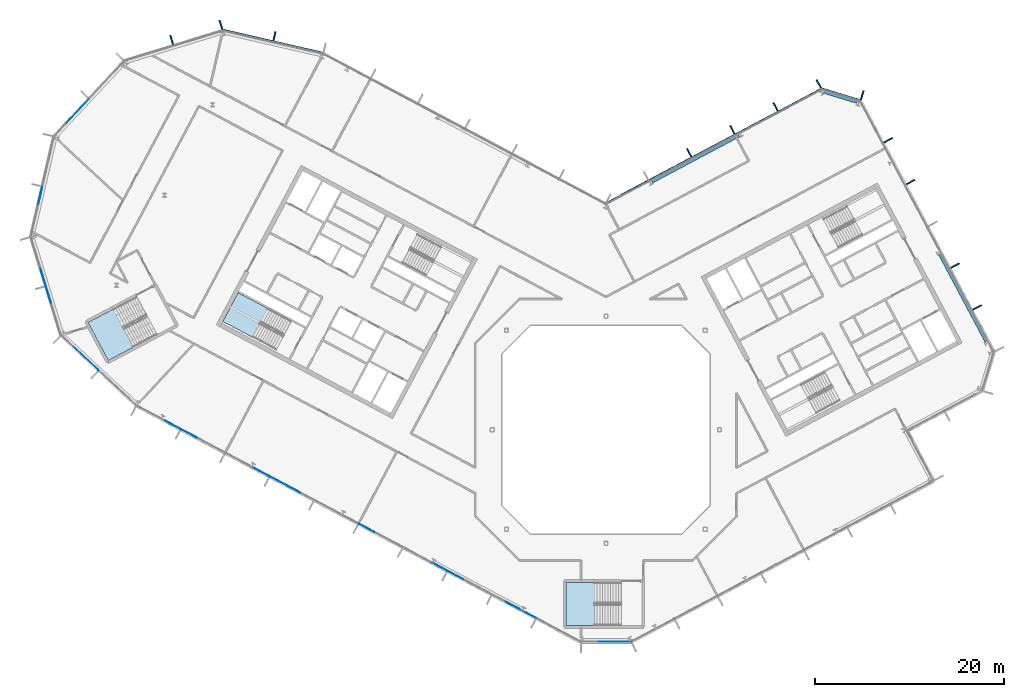
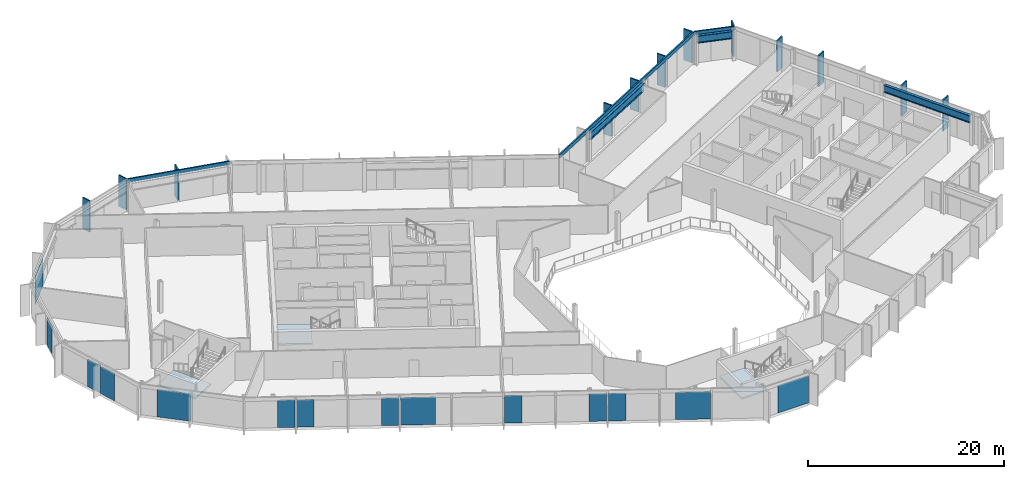
# One storey, part 10 of 26: 15 members, 14 plates, 3 beams, 3 slabs, 14 elements without a shape of their own.
"""IFC4 building model written with IfcOpenShell, lengths in metres."""

from ifc_helpers import new_model, si_unit, direction, frame, origin, origin_2d, place, context, subcontext, project, spatial, polyline, rectangle, i_section, outline, extrude, material, layer, layer_set, material_profile, profile_set, type_object, element, aggregate, save


model = new_model("IFC4")

# Units and contexts
model_context = context("Model", 3, precision=1e-05, world=origin(), true_north=direction((0.0, 1.0)))
body_context = subcontext(model_context, "Body", "Model", "MODEL_VIEW")
ifc_project = project(units=[si_unit("LENGTHUNIT", "METRE"), si_unit("AREAUNIT", "SQUARE_METRE"), si_unit("VOLUMEUNIT", "CUBIC_METRE"), si_unit("PLANEANGLEUNIT", "RADIAN"), si_unit("MASSUNIT", "GRAM", prefix="KILO")], contexts=[model_context])

# Site, building, storey
site_placement = place(None, origin())
site = spatial("IfcSite", under=ifc_project, at=site_placement, CompositionType="ELEMENT")
building_placement = place(site_placement, origin())
building = spatial("IfcBuilding", under=site, at=building_placement, Name="Cormorant Relay Tower", CompositionType="ELEMENT")
storey_placement = place(building_placement, frame((0.0, 0.0, 304.800048828125)))
storey = spatial("IfcBuildingStorey", under=building, at=storey_placement, Name="L69", CompositionType="ELEMENT", Elevation=304.800048828125)

# Curtain wall, members
ifc_material_1 = material(Name="Aluminium 6063-T6 anodised bronze", Category="aluminium")
ifc_layer_1 = layer(ifc_material_1, 0.199951171875)
ifc_layer_set_1 = layer_set([ifc_layer_1], Name="CW1 unitised bronze curtain wall with vertical fins")
curtain_wall_type = type_object("IfcCurtainWallType", Name="CW1 unitised bronze curtain wall with vertical fins", PredefinedType="NOTDEFINED", material=ifc_layer_set_1)
curtain_wall_1_placement = place(storey_placement, origin())
curtain_wall_1 = element("IfcCurtainWall", 1, at=curtain_wall_1_placement, inside=storey, type_object=curtain_wall_type, Name="CW1 curtain wall 6", PredefinedType="NOTDEFINED")
ifc_material_2 = material(Name="Aluminium 6063-T6 anodised bronze", Category="aluminium")
ifc_material_profile_1 = material_profile(ifc_material_2, rectangle(XDim=0.14990234375, YDim=1.0, at=origin_2d()), Name="AL 150x1000")
ifc_profile_set_1 = profile_set([ifc_material_profile_1], Name="Aluminium 6063-T6 anodised bronze")
member_type_1 = type_object("IfcMemberType", Name="CW1 bronze fin mullion 150 x 1000", PredefinedType="MULLION", material=ifc_profile_set_1)
member_1_placement = place(storey_placement, frame((39.222412109375, 12.927001953125, 0.0), z_axis=(0.0, 0.0, 1.0), x_axis=(-0.469471562786, 0.882947592859, 0.0)))
member_1 = element("IfcMember", 2, at=member_1_placement, type_object=member_type_1, Name="CW1 fin 6.2", PredefinedType="MULLION", context=body_context, shape_type="SweptSolid", body=[
    extrude(rectangle(XDim=0.14990234375, YDim=1.0, at=origin_2d()), origin(), (0.0, 0.0, 1.0), 3.89990234375),
])
member_2_placement = place(storey_placement, frame((36.875, 17.341552734375, 0.0), z_axis=(0.0, 0.0, 1.0), x_axis=(-0.469471562786, 0.882947592859, 0.0)))
member_2 = element("IfcMember", 3, at=member_2_placement, type_object=member_type_1, Name="CW1 fin 6.3", PredefinedType="MULLION", context=body_context, shape_type="SweptSolid", body=[
    extrude(rectangle(XDim=0.14990234375, YDim=1.0, at=origin_2d()), origin(), (0.0, 0.0, 1.0), 3.89990234375),
])
member_3_placement = place(storey_placement, frame((32.18017578125, 26.171142578125, 0.0), z_axis=(0.0, 0.0, 1.0), x_axis=(-0.469471562786, 0.882947592859, 0.0)))
member_3 = element("IfcMember", 4, at=member_3_placement, type_object=member_type_1, Name="CW1 fin 6.5", PredefinedType="MULLION", context=body_context, shape_type="SweptSolid", body=[
    extrude(rectangle(XDim=0.14990234375, YDim=1.0, at=origin_2d()), origin(), (0.0, 0.0, 1.0), 3.89990234375),
])
member_4_placement = place(storey_placement, frame((29.832763671875, 30.585693359375, 0.0), z_axis=(0.0, 0.0, 1.0), x_axis=(-0.469471562786, 0.882947592859, 0.0)))
member_4 = element("IfcMember", 5, at=member_4_placement, type_object=member_type_1, Name="CW1 fin 6.6", PredefinedType="MULLION", context=body_context, shape_type="SweptSolid", body=[
    extrude(rectangle(XDim=0.14990234375, YDim=1.0, at=origin_2d()), origin(), (0.0, 0.0, 1.0), 3.89990234375),
])
aggregate(curtain_wall_1, [member_1, member_2, member_3, member_4])

# Curtain wall, member
curtain_wall_2_placement = place(storey_placement, origin())
curtain_wall_2 = element("IfcCurtainWall", 6, at=curtain_wall_2_placement, inside=storey, type_object=curtain_wall_type, Name="CW1 curtain wall 7", PredefinedType="NOTDEFINED")
member_5_placement = place(storey_placement, frame((27.072021484375, 35.34130859375, 0.0), z_axis=(0.0, 0.0, 1.0), x_axis=(-0.956304755963, 0.292371704723, 0.0)))
member_5 = element("IfcMember", 7, at=member_5_placement, type_object=member_type_1, Name="CW1 fin 7.1", PredefinedType="MULLION", context=body_context, shape_type="SweptSolid", body=[
    extrude(rectangle(XDim=0.14990234375, YDim=1.0, at=origin_2d()), origin(), (0.0, 0.0, 1.0), 3.89990234375),
])

# Curtain wall, members
curtain_wall_3_placement = place(storey_placement, origin())
curtain_wall_3 = element("IfcCurtainWall", 8, at=curtain_wall_3_placement, inside=storey, type_object=curtain_wall_type, Name="CW1 curtain wall 8", PredefinedType="NOTDEFINED")
member_6_placement = place(storey_placement, frame((22.4814453125, 36.530517578125, 0.0), z_axis=(0.0, 0.0, 1.0), x_axis=(-0.882947592859, -0.469471562786, 0.0)))
member_6 = element("IfcMember", 9, at=member_6_placement, type_object=member_type_1, Name="CW1 fin 8.1", PredefinedType="MULLION", context=body_context, shape_type="SweptSolid", body=[
    extrude(rectangle(XDim=0.14990234375, YDim=1.0, at=origin_2d()), origin(), (0.0, 0.0, 1.0), 3.89990234375),
])
member_7_placement = place(storey_placement, frame((17.91943359375, 34.104736328125, 0.0), z_axis=(0.0, 0.0, 1.0), x_axis=(-0.882947592859, -0.469471562786, 0.0)))
member_7 = element("IfcMember", 10, at=member_7_placement, type_object=member_type_1, Name="CW1 fin 8.2", PredefinedType="MULLION", context=body_context, shape_type="SweptSolid", body=[
    extrude(rectangle(XDim=0.14990234375, YDim=1.0, at=origin_2d()), origin(), (0.0, 0.0, 1.0), 3.89990234375),
])
member_8_placement = place(storey_placement, frame((13.357421875, 31.67919921875, 0.0), z_axis=(0.0, 0.0, 1.0), x_axis=(-0.882947592859, -0.469471562786, 0.0)))
member_8 = element("IfcMember", 11, at=member_8_placement, type_object=member_type_1, Name="CW1 fin 8.3", PredefinedType="MULLION", context=body_context, shape_type="SweptSolid", body=[
    extrude(rectangle(XDim=0.14990234375, YDim=1.0, at=origin_2d()), origin(), (0.0, 0.0, 1.0), 3.89990234375),
])
member_9_placement = place(storey_placement, frame((8.79541015625, 29.25341796875, 0.0), z_axis=(0.0, 0.0, 1.0), x_axis=(-0.882947592859, -0.469471562786, 0.0)))
member_9 = element("IfcMember", 12, at=member_9_placement, type_object=member_type_1, Name="CW1 fin 8.4", PredefinedType="MULLION", context=body_context, shape_type="SweptSolid", body=[
    extrude(rectangle(XDim=0.14990234375, YDim=1.0, at=origin_2d()), origin(), (0.0, 0.0, 1.0), 3.89990234375),
])

# Curtain wall, member
curtain_wall_4_placement = place(storey_placement, origin())
curtain_wall_4 = element("IfcCurtainWall", 13, at=curtain_wall_4_placement, inside=storey, type_object=curtain_wall_type, Name="CW1 curtain wall 10", PredefinedType="NOTDEFINED")
member_10_placement = place(storey_placement, frame((-35.01220703125, 41.57275390625, 0.0), z_axis=(0.0, 0.0, 1.0), x_axis=(-0.974370064785, 0.224951054344, 0.0)))
member_10 = element("IfcMember", 14, at=member_10_placement, type_object=member_type_1, Name="CW1 fin 10.2", PredefinedType="MULLION", context=body_context, shape_type="SweptSolid", body=[
    extrude(rectangle(XDim=0.14990234375, YDim=1.0, at=origin_2d()), origin(), (0.0, 0.0, 1.0), 3.89990234375),
])

# Curtain wall, members
curtain_wall_5_placement = place(storey_placement, origin())
curtain_wall_5 = element("IfcCurtainWall", 15, at=curtain_wall_5_placement, inside=storey, type_object=curtain_wall_type, Name="CW1 curtain wall 11", PredefinedType="NOTDEFINED")
member_11_placement = place(storey_placement, frame((-40.670166015625, 42.78271484375, 0.0), z_axis=(0.0, 0.0, 1.0), x_axis=(-0.956304755963, -0.292371704723, 0.0)))
member_11 = element("IfcMember", 16, at=member_11_placement, type_object=member_type_1, Name="CW1 fin 11.1", PredefinedType="MULLION", context=body_context, shape_type="SweptSolid", body=[
    extrude(rectangle(XDim=0.14990234375, YDim=1.0, at=origin_2d()), origin(), (0.0, 0.0, 1.0), 3.89990234375),
])
member_12_placement = place(storey_placement, frame((-45.867919921875, 41.193603515625, 0.0), z_axis=(0.0, 0.0, 1.0), x_axis=(-0.956304755963, -0.292371704723, 0.0)))
member_12 = element("IfcMember", 17, at=member_12_placement, type_object=member_type_1, Name="CW1 fin 11.2", PredefinedType="MULLION", context=body_context, shape_type="SweptSolid", body=[
    extrude(rectangle(XDim=0.14990234375, YDim=1.0, at=origin_2d()), origin(), (0.0, 0.0, 1.0), 3.89990234375),
])
aggregate(curtain_wall_5, [member_11, member_12])

# Member
ifc_material_3 = material(Name="Aluminium 6063-T6 anodised bronze", Category="aluminium")
ifc_material_profile_2 = material_profile(ifc_material_3, rectangle(XDim=0.159912109375, YDim=0.449951171875, at=origin_2d()), Name="AL 160x450")
ifc_profile_set_2 = profile_set([ifc_material_profile_2], Name="Aluminium 6063-T6 anodised bronze")
member_type_2 = type_object("IfcMemberType", Name="CW1 bronze transom 160 x 450", PredefinedType="USERDEFINED", material=ifc_profile_set_2)
member_13_placement = place(storey_placement, frame((26.902587890625, 34.78662109375, 3.675048828125), z_axis=(-0.956303761594, 0.292374957137, 0.0), x_axis=(-0.292374957137, -0.956303761594, 0.0)))
member_13 = element("IfcMember", 18, at=member_13_placement, type_object=member_type_2, Name="CW1 transom 7", ObjectType="TRANSOM", PredefinedType="USERDEFINED", context=body_context, shape_type="SweptSolid", body=[
    extrude(rectangle(XDim=0.159912109375, YDim=0.449951171875, at=origin_2d()), origin(), (0.0, 0.0, 1.0), 4.24267578125),
])

aggregate(curtain_wall_2, [member_5, member_13])

member_14_placement = place(storey_placement, frame((22.75390625, 36.018310546875, 3.675048828125), z_axis=(-0.882948156597, -0.469470502547, 0.0), x_axis=(0.469470502547, -0.882948156597, 0.0)))
member_14 = element("IfcMember", 19, at=member_14_placement, type_object=member_type_2, Name="CW1 transom 8", ObjectType="TRANSOM", PredefinedType="USERDEFINED", context=body_context, shape_type="SweptSolid", body=[
    extrude(rectangle(XDim=0.159912109375, YDim=0.449951171875, at=origin_2d()), origin(), (0.0, 0.0, 1.0), 25.834228515625),
])

aggregate(curtain_wall_3, [member_6, member_7, member_8, member_9, member_14])

member_15_placement = place(storey_placement, frame((-29.8466796875, 39.784912109375, 3.675048828125), z_axis=(-0.974365070969, 0.224972683844, 0.0), x_axis=(-0.224972683844, -0.974365070969, 0.0)))
member_15 = element("IfcMember", 20, at=member_15_placement, type_object=member_type_2, Name="CW1 transom 10", ObjectType="TRANSOM", PredefinedType="USERDEFINED", context=body_context, shape_type="SweptSolid", body=[
    extrude(rectangle(XDim=0.159912109375, YDim=0.449951171875, at=origin_2d()), origin(), (0.0, 0.0, 1.0), 10.870361328125),
])

aggregate(curtain_wall_4, [member_10, member_15])

# Beams
ifc_material_4 = material(Name="Steel ASTM A992 (Fy 345 MPa)", Category="steel")
ifc_material_profile_3 = material_profile(ifc_material_4, i_section(OverallWidth=0.307373046875, OverallDepth=0.927001953125, WebThickness=0.019287109375, FlangeThickness=0.031982421875, FilletRadius=0.01904296875, at=origin_2d()), Name="W920x289")
ifc_profile_set_3 = profile_set([ifc_material_profile_3], Name="Steel ASTM A992 (Fy 345 MPa)")
beam_type = type_object("IfcBeamType", Name="Spandrel W920x289", PredefinedType="SPANDREL", material=ifc_profile_set_3)
beam_1_placement = place(storey_placement, frame((40.1591796875, 9.3466796875, 3.076416015625), z_axis=(-0.469474391681, 0.882946088703, 0.0), x_axis=(-0.882946088703, -0.469474391681, 0.0)))
element("IfcBeam", 21, at=beam_1_placement, inside=storey, type_object=beam_type, Name="Spandrel beam L69-006", PredefinedType="SPANDREL", context=body_context, shape_type="SweptSolid", body=[
    extrude(i_section(OverallWidth=0.307373046875, OverallDepth=0.927001953125, WebThickness=0.019287109375, FlangeThickness=0.031982421875, FilletRadius=0.01904296875, at=origin_2d()), origin(), (0.0, 0.0, 1.0), 10.401611328125),
])
beam_2_placement = place(storey_placement, frame((26.512451171875, 34.619873046875, 3.076416015625), z_axis=(-0.956313678807, 0.292342517821, 0.0), x_axis=(-0.292342517821, -0.956313678807, 0.0)))
element("IfcBeam", 22, at=beam_2_placement, inside=storey, type_object=beam_type, Name="Spandrel beam L69-007", PredefinedType="SPANDREL", context=body_context, shape_type="SweptSolid", body=[
    extrude(i_section(OverallWidth=0.307373046875, OverallDepth=0.927001953125, WebThickness=0.019287109375, FlangeThickness=0.031982421875, FilletRadius=0.01904296875, at=origin_2d()), origin(), (0.0, 0.0, 1.0), 3.65185546875),
])
beam_3_placement = place(storey_placement, frame((14.05322265625, 31.082275390625, 3.076416015625), z_axis=(-0.882950644937, -0.469465822617, 0.0), x_axis=(0.469465822617, -0.882950644937, 0.0)))
element("IfcBeam", 23, at=beam_3_placement, inside=storey, type_object=beam_type, Name="Spandrel beam L69-008", PredefinedType="SPANDREL", context=body_context, shape_type="SweptSolid", body=[
    extrude(i_section(OverallWidth=0.307373046875, OverallDepth=0.927001953125, WebThickness=0.019287109375, FlangeThickness=0.031982421875, FilletRadius=0.01904296875, at=origin_2d()), origin(), (0.0, 0.0, 1.0), 10.4013671875),
])

# Curtain wall, plate
curtain_wall_6_placement = place(storey_placement, origin())
curtain_wall_6 = element("IfcCurtainWall", 24, at=curtain_wall_6_placement, inside=storey, type_object=curtain_wall_type, Name="CW1 curtain wall 13", PredefinedType="NOTDEFINED")
ifc_material_5 = material(Name="Tinted laminated glass", Category="glass")
ifc_layer_2 = layer(ifc_material_5, 0.0400390625)
ifc_layer_set_2 = layer_set([ifc_layer_2], Name="CW1 tinted vision panel 1800 module")
plate_type_1 = type_object("IfcPlateType", Name="CW1 tinted vision panel 1800 module", PredefinedType="CURTAIN_PANEL", material=ifc_layer_set_2)
plate_1_placement = place(storey_placement, frame((-59.736083984375, 24.74365234375, 0.0), z_axis=(0.0, 0.0, 1.0), x_axis=(-0.224951054344, -0.974370064785, 0.0)))
plate_1 = element("IfcPlate", 25, at=plate_1_placement, type_object=plate_type_1, Name="CW1 panel V01", PredefinedType="CURTAIN_PANEL", context=body_context, shape_type="SweptSolid", body=[
    extrude(rectangle(XDim=1.800048828125, YDim=0.0400390625, at=origin_2d()), origin(), (0.0, 0.0, 1.0), 3.449951171875),
])
aggregate(curtain_wall_6, [plate_1])

# Curtain wall, plates
curtain_wall_7_placement = place(storey_placement, origin())
curtain_wall_7 = element("IfcCurtainWall", 26, at=curtain_wall_7_placement, inside=storey, type_object=curtain_wall_type, Name="CW1 curtain wall 14", PredefinedType="NOTDEFINED")
plate_2_placement = place(storey_placement, frame((-59.434814453125, 16.122314453125, 0.0), z_axis=(0.0, 0.0, 1.0), x_axis=(0.292371704723, -0.956304755963, 0.0)))
plate_2 = element("IfcPlate", 27, at=plate_2_placement, type_object=plate_type_1, Name="CW1 panel V01", PredefinedType="CURTAIN_PANEL", context=body_context, shape_type="SweptSolid", body=[
    extrude(rectangle(XDim=1.800048828125, YDim=0.0400390625, at=origin_2d()), origin(), (0.0, 0.0, 1.0), 3.449951171875),
])
plate_3_placement = place(storey_placement, frame((-58.86474609375, 14.25732421875, 0.0), z_axis=(0.0, 0.0, 1.0), x_axis=(0.292371704723, -0.956304755963, 0.0)))
plate_3 = element("IfcPlate", 28, at=plate_3_placement, type_object=plate_type_1, Name="CW1 panel V02", PredefinedType="CURTAIN_PANEL", context=body_context, shape_type="SweptSolid", body=[
    extrude(rectangle(XDim=1.800048828125, YDim=0.0400390625, at=origin_2d()), origin(), (0.0, 0.0, 1.0), 3.449951171875),
])
aggregate(curtain_wall_7, [plate_2, plate_3])

curtain_wall_8_placement = place(storey_placement, origin())
curtain_wall_8 = element("IfcCurtainWall", 29, at=curtain_wall_8_placement, inside=storey, type_object=curtain_wall_type, Name="CW1 curtain wall 16", PredefinedType="NOTDEFINED")
plate_4_placement = place(storey_placement, frame((-45.767578125, 0.5283203125, 0.0), z_axis=(0.0, 0.0, 1.0), x_axis=(0.882947592859, -0.469471562786, 0.0)))
plate_4 = element("IfcPlate", 30, at=plate_4_placement, type_object=plate_type_1, Name="CW1 panel V01", PredefinedType="CURTAIN_PANEL", context=body_context, shape_type="SweptSolid", body=[
    extrude(rectangle(XDim=1.800048828125, YDim=0.0400390625, at=origin_2d()), origin(), (0.0, 0.0, 1.0), 3.449951171875),
])
plate_5_placement = place(storey_placement, frame((-44.0458984375, -0.38720703125, 0.0), z_axis=(0.0, 0.0, 1.0), x_axis=(0.882947592859, -0.469471562786, 0.0)))
plate_5 = element("IfcPlate", 31, at=plate_5_placement, type_object=plate_type_1, Name="CW1 panel V02", PredefinedType="CURTAIN_PANEL", context=body_context, shape_type="SweptSolid", body=[
    extrude(rectangle(XDim=1.800048828125, YDim=0.0400390625, at=origin_2d()), origin(), (0.0, 0.0, 1.0), 3.449951171875),
])
plate_6_placement = place(storey_placement, frame((-36.37890625, -4.463623046875, 0.0), z_axis=(0.0, 0.0, 1.0), x_axis=(0.882947592859, -0.469471562786, 0.0)))
plate_6 = element("IfcPlate", 32, at=plate_6_placement, type_object=plate_type_1, Name="CW1 panel V04", PredefinedType="CURTAIN_PANEL", context=body_context, shape_type="SweptSolid", body=[
    extrude(rectangle(XDim=1.800048828125, YDim=0.0400390625, at=origin_2d()), origin(), (0.0, 0.0, 1.0), 3.449951171875),
])
plate_7_placement = place(storey_placement, frame((-25.268798828125, -10.37109375, 0.0), z_axis=(0.0, 0.0, 1.0), x_axis=(0.882947592859, -0.469471562786, 0.0)))
plate_7 = element("IfcPlate", 33, at=plate_7_placement, type_object=plate_type_1, Name="CW1 panel V07", PredefinedType="CURTAIN_PANEL", context=body_context, shape_type="SweptSolid", body=[
    extrude(rectangle(XDim=1.800048828125, YDim=0.0400390625, at=origin_2d()), origin(), (0.0, 0.0, 1.0), 3.449951171875),
])
plate_8_placement = place(storey_placement, frame((-17.601806640625, -14.447509765625, 0.0), z_axis=(0.0, 0.0, 1.0), x_axis=(0.882947592859, -0.469471562786, 0.0)))
plate_8 = element("IfcPlate", 34, at=plate_8_placement, type_object=plate_type_1, Name="CW1 panel V09", PredefinedType="CURTAIN_PANEL", context=body_context, shape_type="SweptSolid", body=[
    extrude(rectangle(XDim=1.800048828125, YDim=0.0400390625, at=origin_2d()), origin(), (0.0, 0.0, 1.0), 3.449951171875),
])
plate_9_placement = place(storey_placement, frame((-15.880126953125, -15.363037109375, 0.0), z_axis=(0.0, 0.0, 1.0), x_axis=(0.882947592859, -0.469471562786, 0.0)))
plate_9 = element("IfcPlate", 35, at=plate_9_placement, type_object=plate_type_1, Name="CW1 panel V10", PredefinedType="CURTAIN_PANEL", context=body_context, shape_type="SweptSolid", body=[
    extrude(rectangle(XDim=1.800048828125, YDim=0.0400390625, at=origin_2d()), origin(), (0.0, 0.0, 1.0), 3.449951171875),
])

# Curtain wall, plate
curtain_wall_9_placement = place(storey_placement, origin())
curtain_wall_9 = element("IfcCurtainWall", 36, at=curtain_wall_9_placement, inside=storey, type_object=curtain_wall_type, Name="CW1 curtain wall 1", PredefinedType="NOTDEFINED")
ifc_material_6 = material(Name="Tinted laminated glass", Category="glass")
ifc_layer_3 = layer(ifc_material_6, 0.0400390625)
ifc_layer_set_3 = layer_set([ifc_layer_3], Name="CW1 tinted vision panel 3600 module")
plate_type_2 = type_object("IfcPlateType", Name="CW1 tinted vision panel 3600 module", PredefinedType="CURTAIN_PANEL", material=ifc_layer_set_3)
plate_10_placement = place(storey_placement, frame((0.848876953125, -22.3955078125, 0.0), z_axis=(0.0, 0.0, 1.0), x_axis=(1.0, 0.0, 0.0)))
plate_10 = element("IfcPlate", 37, at=plate_10_placement, type_object=plate_type_2, Name="CW1 panel V01", PredefinedType="CURTAIN_PANEL", context=body_context, shape_type="SweptSolid", body=[
    extrude(rectangle(XDim=3.60009765625, YDim=0.0400390625, at=origin_2d()), origin(), (0.0, 0.0, 1.0), 3.449951171875),
])
aggregate(curtain_wall_9, [plate_10])

curtain_wall_10_placement = place(storey_placement, origin())
curtain_wall_10 = element("IfcCurtainWall", 38, at=curtain_wall_10_placement, inside=storey, type_object=curtain_wall_type, Name="CW1 curtain wall 12", PredefinedType="NOTDEFINED")
plate_11_placement = place(storey_placement, frame((-55.861083984375, 33.6025390625, 0.0), z_axis=(0.0, 0.0, 1.0), x_axis=(-0.681998360062, -0.731353701619, 0.0)))
plate_11 = element("IfcPlate", 39, at=plate_11_placement, type_object=plate_type_2, Name="CW1 panel V02", PredefinedType="CURTAIN_PANEL", context=body_context, shape_type="SweptSolid", body=[
    extrude(rectangle(XDim=3.60009765625, YDim=0.0400390625, at=origin_2d()), origin(), (0.0, 0.0, 1.0), 3.449951171875),
])
aggregate(curtain_wall_10, [plate_11])

curtain_wall_11_placement = place(storey_placement, origin())
curtain_wall_11 = element("IfcCurtainWall", 40, at=curtain_wall_11_placement, inside=storey, type_object=curtain_wall_type, Name="CW1 curtain wall 15", PredefinedType="NOTDEFINED")
plate_12_placement = place(storey_placement, frame((-54.951416015625, 7.55517578125, 0.0), z_axis=(0.0, 0.0, 1.0), x_axis=(0.731353701619, -0.681998360062, 0.0)))
plate_12 = element("IfcPlate", 41, at=plate_12_placement, type_object=plate_type_2, Name="CW1 panel V01", PredefinedType="CURTAIN_PANEL", context=body_context, shape_type="SweptSolid", body=[
    extrude(rectangle(XDim=3.60009765625, YDim=0.0400390625, at=origin_2d()), origin(), (0.0, 0.0, 1.0), 3.449951171875),
])
aggregate(curtain_wall_11, [plate_12])

# Plate
plate_13_placement = place(storey_placement, frame((-33.862548828125, -5.801513671875, 0.0), z_axis=(0.0, 0.0, 1.0), x_axis=(0.882947592859, -0.469471562786, 0.0)))
plate_13 = element("IfcPlate", 42, at=plate_13_placement, type_object=plate_type_2, Name="CW1 panel V05", PredefinedType="CURTAIN_PANEL", context=body_context, shape_type="SweptSolid", body=[
    extrude(rectangle(XDim=3.60009765625, YDim=0.0400390625, at=origin_2d()), origin(), (0.0, 0.0, 1.0), 3.449951171875),
])

plate_14_placement = place(storey_placement, frame((-9.008056640625, -19.01708984375, 0.0), z_axis=(0.0, 0.0, 1.0), x_axis=(0.882947592859, -0.469471562786, 0.0)))
plate_14 = element("IfcPlate", 43, at=plate_14_placement, type_object=plate_type_2, Name="CW1 panel V12", PredefinedType="CURTAIN_PANEL", context=body_context, shape_type="SweptSolid", body=[
    extrude(rectangle(XDim=3.60009765625, YDim=0.0400390625, at=origin_2d()), origin(), (0.0, 0.0, 1.0), 3.449951171875),
])

aggregate(curtain_wall_8, [plate_4, plate_5, plate_6, plate_13, plate_7, plate_8, plate_9, plate_14])

# Stair, slab
ifc_material_7 = material(Name="Concrete 40 MPa", Category="concrete")
stair_type_1 = type_object("IfcStairType", Name="Exit stair 1500", PredefinedType="HALF_TURN_STAIR", material=ifc_material_7)
stair_1_placement = place(storey_placement, origin())
stair_1 = element("IfcStair", 44, at=stair_1_placement, inside=storey, type_object=stair_type_1, Name="L69 Stair", PredefinedType="HALF_TURN_STAIR")
ifc_material_8 = material(Name="Concrete 40 MPa", Category="concrete")
ifc_layer_4 = layer(ifc_material_8, 0.199951171875)
ifc_layer_set_4 = layer_set([ifc_layer_4], Name="Exit stair landing 200")
slab_type = type_object("IfcSlabType", Name="Exit stair landing 200", PredefinedType="LANDING", material=ifc_layer_set_4)
slab_1_placement = place(storey_placement, frame((0.0, 0.0, 1.75)))
slab_1 = element("IfcSlab", 45, at=slab_1_placement, type_object=slab_type, Name="A2 landing 1", PredefinedType="LANDING", context=body_context, shape_type="SweptSolid", body=[
    extrude(outline(polyline([(-35.71337890625, 12.816650390625), (-38.84765625, 14.483154296875), (-40.467529296875, 11.43701171875), (-37.3330078125, 9.7705078125), (-35.71337890625, 12.816650390625)])), origin(), (0.0, 0.0, 1.0), 0.199951171875),
])
aggregate(stair_1, [slab_1])

ifc_material_9 = material(Name="Concrete 40 MPa", Category="concrete")
stair_type_2 = type_object("IfcStairType", Name="Remote exit stair 2200", PredefinedType="HALF_TURN_STAIR", material=ifc_material_9)
stair_2_placement = place(storey_placement, origin())
stair_2 = element("IfcStair", 46, at=stair_2_placement, inside=storey, type_object=stair_type_2, Name="L69 Stair", PredefinedType="HALF_TURN_STAIR")
slab_2_placement = place(storey_placement, frame((0.0, 0.0, 1.75)))
slab_2 = element("IfcSlab", 47, at=slab_2_placement, type_object=slab_type, Name="RK1 landing 1", PredefinedType="LANDING", context=body_context, shape_type="SweptSolid", body=[
    extrude(outline(polyline([(-1.199951171875, -16.125), (-4.199951171875, -16.125), (-4.199951171875, -20.675048828125), (-1.199951171875, -20.675048828125), (-1.199951171875, -16.125)])), origin(), (0.0, 0.0, 1.0), 0.199951171875),
])
aggregate(stair_2, [slab_2])

stair_3_placement = place(storey_placement, origin())
stair_3 = element("IfcStair", 48, at=stair_3_placement, inside=storey, type_object=stair_type_2, Name="L69 Stair", PredefinedType="HALF_TURN_STAIR")
slab_3_placement = place(storey_placement, frame((0.0, 0.0, 1.75)))
slab_3 = element("IfcSlab", 49, at=slab_3_placement, type_object=slab_type, Name="RP1 landing 1", PredefinedType="LANDING", context=body_context, shape_type="SweptSolid", body=[
    extrude(outline(polyline([(-52.051025390625, 12.7392578125), (-54.699951171875, 11.330810546875), (-52.563720703125, 7.3134765625), (-49.914794921875, 8.721923828125), (-52.051025390625, 12.7392578125)])), origin(), (0.0, 0.0, 1.0), 0.199951171875),
])
aggregate(stair_3, [slab_3])

save(model, "model.ifc")
